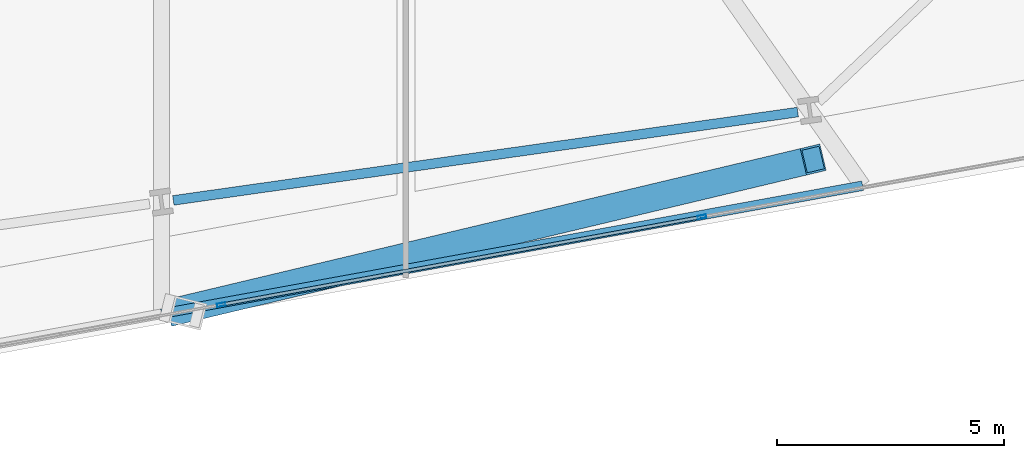
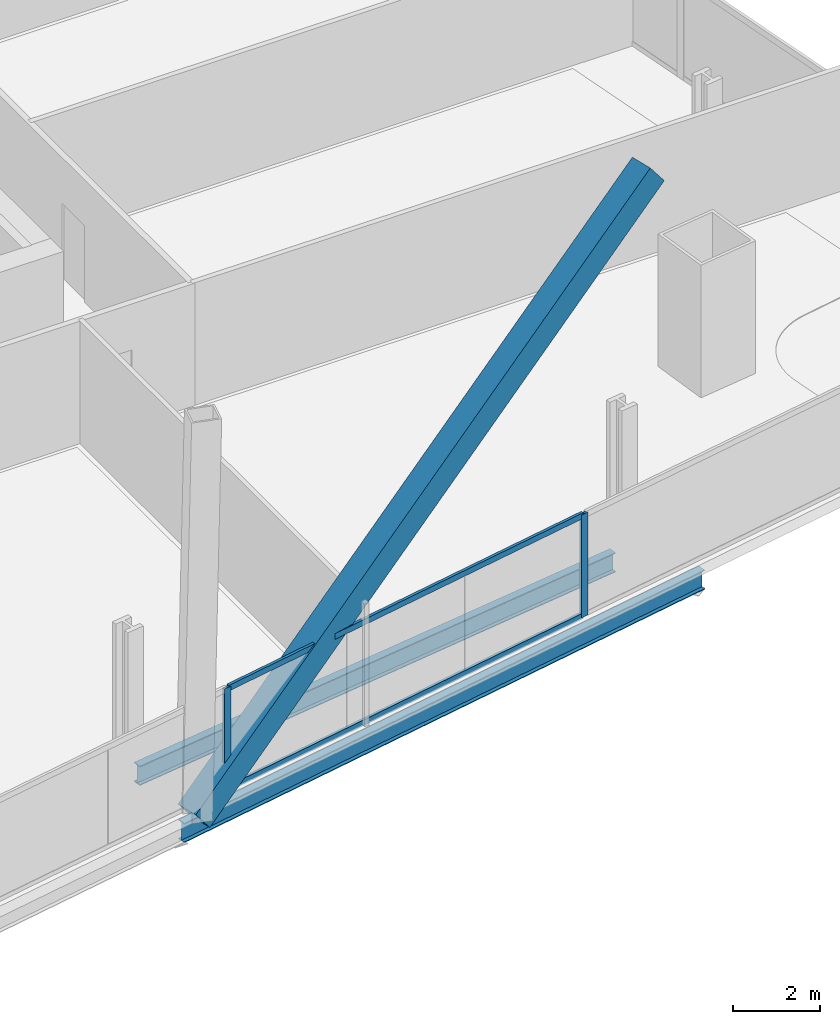
# One storey, part 9 of 34: 5 members, 2 beams, 1 element without a shape of its own.
"""IFC4 building model written with IfcOpenShell, lengths in metres."""

from ifc_helpers import new_model, si_unit, direction, frame, origin, origin_2d, place, context, subcontext, project, spatial, hollow_rectangle, i_section, extrude, material, material_profile, profile_set, type_object, element, aggregate, save


model = new_model("IFC4")

# Units and contexts
model_context = context("Model", 3, precision=1e-05, world=origin(), true_north=direction((0.0, 1.0)))
body_context = subcontext(model_context, "Body", "Model", "MODEL_VIEW")
ifc_project = project(units=[si_unit("LENGTHUNIT", "METRE"), si_unit("AREAUNIT", "SQUARE_METRE"), si_unit("VOLUMEUNIT", "CUBIC_METRE"), si_unit("PLANEANGLEUNIT", "RADIAN"), si_unit("MASSUNIT", "GRAM", prefix="KILO")], contexts=[model_context])

# Site, building, storey
site_placement = place(None, origin())
site = spatial("IfcSite", under=ifc_project, at=site_placement, CompositionType="ELEMENT")
building_placement = place(site_placement, origin())
building = spatial("IfcBuilding", under=site, at=building_placement, Name="Haldenkirk Collegiate Tower", CompositionType="ELEMENT")
storey_placement = place(building_placement, frame((0.0, 0.0, 62.699951171875)))
storey = spatial("IfcBuildingStorey", under=building, at=storey_placement, Name="L14", CompositionType="ELEMENT", Elevation=62.699951171875)

# Beams
ifc_material_1 = material(Name="Steel ASTM A992 Grade 50", Category="steel")
ifc_material_profile_1 = material_profile(ifc_material_1, i_section(OverallWidth=0.2119140625, OverallDepth=0.5439453125, WebThickness=0.01318359375, FlangeThickness=0.021240234375, at=origin_2d()), Name="W21X83")
ifc_profile_set_1 = profile_set([ifc_material_profile_1], Name="Steel ASTM A992 Grade 50")
beam_type = type_object("IfcBeamType", Name="BM-SPANDREL-W21X83", PredefinedType="SPANDREL", material=ifc_profile_set_1)
beam_1_placement = place(storey_placement, frame((39.37060546875, 4.055908203125, -0.58203125), z_axis=(0.990146197746, 0.14003752029, 0.0), x_axis=(-0.14003752029, 0.990146197746, 0.0)))
element("IfcBeam", 1, at=beam_1_placement, inside=storey, type_object=beam_type, Name="L14 perimeter spandrel beam 03", PredefinedType="SPANDREL", context=body_context, shape_type="SweptSolid", body=[
    extrude(i_section(OverallWidth=0.2119140625, OverallDepth=0.5439453125, WebThickness=0.01318359375, FlangeThickness=0.021240234375, at=origin_2d()), origin(), (0.0, 0.0, 1.0), 13.906982421875),
])
beam_2_placement = place(storey_placement, frame((39.10888671875, 1.555908203125, -0.58203125), z_axis=(0.983730176822, 0.179652273042, 0.0), x_axis=(-0.179652273042, 0.983730176822, 0.0)))
element("IfcBeam", 2, at=beam_2_placement, inside=storey, type_object=beam_type, Name="L14 outer facade edge beam 1B", PredefinedType="SPANDREL", context=body_context, shape_type="SweptSolid", body=[
    extrude(i_section(OverallWidth=0.2119140625, OverallDepth=0.5439453125, WebThickness=0.01318359375, FlangeThickness=0.021240234375, at=origin_2d()), origin(), (0.0, 0.0, 1.0), 15.71630859375),
])

# Curtain wall, members
ifc_material_2 = material(Name="Anodised architectural bronze aluminium", Category="aluminium")
curtain_wall_type = type_object("IfcCurtainWallType", Name="CW-SYS2-CONCAVE", PredefinedType="USERDEFINED", material=ifc_material_2)
curtain_wall_placement = place(storey_placement, origin())
curtain_wall = element("IfcCurtainWall", 3, at=curtain_wall_placement, inside=storey, type_object=curtain_wall_type, Name="L14 South concave recessed bronze-anodised curtain wall", ObjectType="UNITISED CURTAIN WALL", PredefinedType="USERDEFINED")
ifc_material_profile_2 = material_profile(ifc_material_2, hollow_rectangle(XDim=0.074951171875, YDim=0.18994140625, WallThickness=0.0048828125, at=origin_2d()), Name="CW-MUL-02")
ifc_profile_set_2 = profile_set([ifc_material_profile_2], Name="Anodised architectural bronze aluminium")
member_type_1 = type_object("IfcMemberType", Name="CW-MUL-02", PredefinedType="MULLION", material=ifc_profile_set_2)
member_1_placement = place(storey_placement, frame((51.02734375, 3.69189453125, 0.0), z_axis=(0.0, 0.0, 1.0), x_axis=(0.179659417405, -0.983728872067, 0.0)))
member_1 = element("IfcMember", 4, at=member_1_placement, type_object=member_type_1, Name="CW-02 mullion 2", PredefinedType="MULLION", context=body_context, shape_type="SweptSolid", body=[
    extrude(hollow_rectangle(XDim=0.074951171875, YDim=0.18994140625, WallThickness=0.0048828125, at=origin_2d()), origin(), (0.0, 0.0, 1.0), 2.89111328125),
])
member_2_placement = place(storey_placement, frame((40.427734375, 1.756103515625, 0.0), z_axis=(0.0, 0.0, 1.0), x_axis=(0.179659417405, -0.983728872067, 0.0)))
member_2 = element("IfcMember", 5, at=member_2_placement, type_object=member_type_1, Name="CW-02 mullion 3", PredefinedType="MULLION", context=body_context, shape_type="SweptSolid", body=[
    extrude(hollow_rectangle(XDim=0.074951171875, YDim=0.18994140625, WallThickness=0.0048828125, at=origin_2d()), origin(), (0.0, 0.0, 1.0), 2.89111328125),
])
ifc_material_profile_3 = material_profile(ifc_material_2, hollow_rectangle(XDim=0.074951171875, YDim=0.159912109375, WallThickness=0.0048828125, at=origin_2d()), Name="CW-TRN-02")
ifc_profile_set_3 = profile_set([ifc_material_profile_3], Name="Anodised architectural bronze aluminium")
member_type_2 = type_object("IfcMemberType", Name="CW-TRN-02", PredefinedType="USERDEFINED", material=ifc_profile_set_3)
member_3_placement = place(storey_placement, frame((50.990478515625, 3.68505859375, 0.03759765625), z_axis=(-0.983728687531, -0.179660427834, 0.0), x_axis=(0.179660427834, -0.983728687531, 0.0)))
member_3 = element("IfcMember", 6, at=member_3_placement, type_object=member_type_2, Name="CW-02 transom 2.1", ObjectType="TRANSOM", PredefinedType="USERDEFINED", context=body_context, shape_type="SweptSolid", body=[
    extrude(hollow_rectangle(XDim=0.074951171875, YDim=0.159912109375, WallThickness=0.0048828125, at=origin_2d()), origin(), (0.0, 0.0, 1.0), 10.699951171875),
])
member_4_placement = place(storey_placement, frame((50.990478515625, 3.68505859375, 2.853515625), z_axis=(-0.983728687531, -0.179660427834, 0.0), x_axis=(0.179660427834, -0.983728687531, 0.0)))
member_4 = element("IfcMember", 7, at=member_4_placement, type_object=member_type_2, Name="CW-02 transom 2.2", ObjectType="TRANSOM", PredefinedType="USERDEFINED", context=body_context, shape_type="SweptSolid", body=[
    extrude(hollow_rectangle(XDim=0.074951171875, YDim=0.159912109375, WallThickness=0.0048828125, at=origin_2d()), origin(), (0.0, 0.0, 1.0), 10.699951171875),
])
aggregate(curtain_wall, [member_1, member_2, member_3, member_4])

# Member
ifc_material_3 = material(Name="Steel ASTM A572 Grade 50", Category="steel")
ifc_material_profile_4 = material_profile(ifc_material_3, hollow_rectangle(XDim=0.60009765625, YDim=0.719970703125, WallThickness=0.044921875, at=origin_2d()), Name="BOX720X600X45")
ifc_profile_set_4 = profile_set([ifc_material_profile_4], Name="Steel ASTM A572 Grade 50")
member_type_3 = type_object("IfcMemberType", Name="MBR-MEGABRACE-BOX720X600X45", PredefinedType="BRACE", material=ifc_profile_set_4)
member_5_placement = place(storey_placement, frame((39.478759765625, 1.623291015625, -0.320068359375), z_axis=(0.766448585922, 0.182504304958, 0.615831749595), x_axis=(-0.231640401818, 0.972801482444, 0.0)))
element("IfcMember", 8, at=member_5_placement, inside=storey, type_object=member_type_3, Name="Perimeter Mega Brace Z1 L14-L16 SR", PredefinedType="BRACE", context=body_context, shape_type="SweptSolid", body=[
    extrude(hollow_rectangle(XDim=0.60009765625, YDim=0.719970703125, WallThickness=0.044921875, at=origin_2d()), origin(), (0.0, 0.0, 1.0), 18.26806640625),
])

save(model, "model.ifc")
